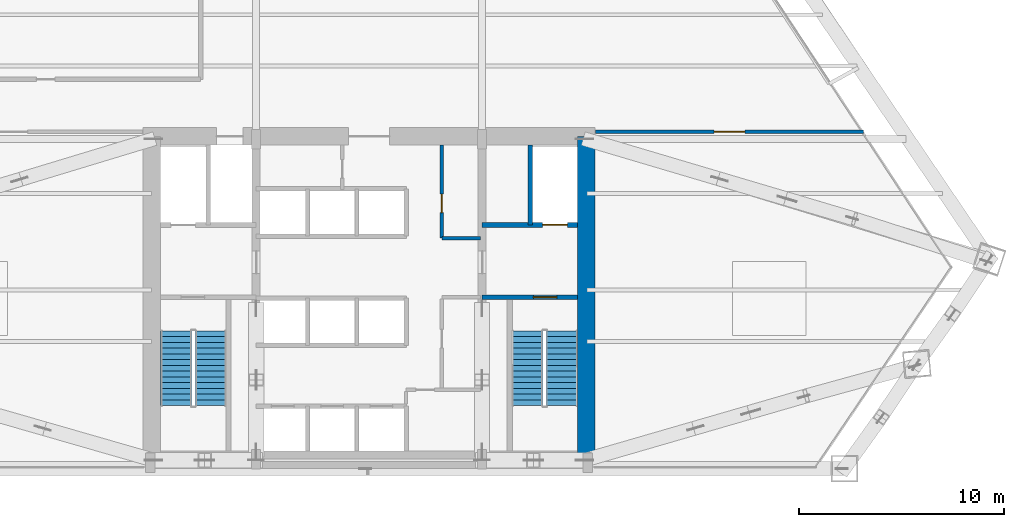
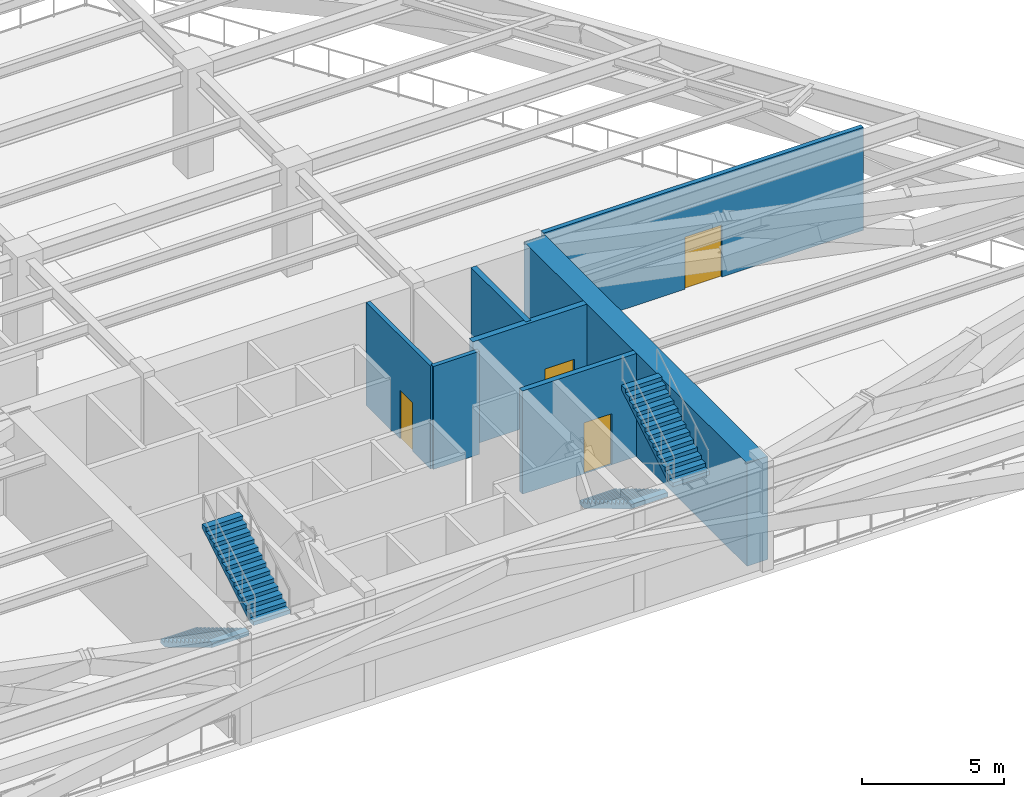
# One storey, part 8 of 10: 7 walls, 4 doors, 4 stair flights, 4 openings, 2 elements without a shape of their own.
"""IFC4 building model written with IfcOpenShell, lengths in metres."""

from ifc_helpers import new_model, si_unit, direction, frame, frame_2d, origin, place, context, subcontext, project, spatial, polyline, rectangle, outline, extrude, source, transform, mapped, material, layer, layer_set, type_object, type_shapes, element, fill, aggregate, save


model = new_model("IFC4")

# Units and contexts
model_context = context("Model", 3, precision=1e-05, world=origin(), true_north=direction((0.0, 1.0)))
body_context = subcontext(model_context, "Body", "Model", "MODEL_VIEW")
ifc_project = project(units=[si_unit("LENGTHUNIT", "METRE"), si_unit("AREAUNIT", "SQUARE_METRE"), si_unit("VOLUMEUNIT", "CUBIC_METRE"), si_unit("PLANEANGLEUNIT", "RADIAN"), si_unit("MASSUNIT", "GRAM", prefix="KILO")], contexts=[model_context])

# Site, building, storey
site_placement = place(None, origin())
site = spatial("IfcSite", under=ifc_project, at=site_placement, CompositionType="ELEMENT")
building_placement = place(site_placement, origin())
building = spatial("IfcBuilding", under=site, at=building_placement, Name="Varnakhor Terracotta Tower", CompositionType="ELEMENT")
storey_placement = place(building_placement, frame((0.0, 0.0, 71.89990234375)))
storey = spatial("IfcBuildingStorey", under=building, at=storey_placement, Name="L17", CompositionType="ELEMENT", Elevation=71.89990234375)

# Wall
ifc_material_1 = material(Name="Concrete C60/75", Category="concrete")
ifc_layer_1 = layer(ifc_material_1, 0.85009765625, Name="Concrete C60/75")
ifc_layer_set_1 = layer_set([ifc_layer_1], Name="Concrete C60/75")
wall_type_1 = type_object("IfcWallType", Name="WAL-CORE-850", PredefinedType="SHEAR", material=ifc_layer_set_1)
wall_1_placement = place(storey_placement, frame((10.574951171875, 0.425048828125, 0.0), z_axis=(0.0, 0.0, 1.0), x_axis=(0.0, 1.0, 0.0)))
element("IfcWall", 1, at=wall_1_placement, inside=storey, type_object=wall_type_1, Name="L17 East Core Shear Wall", PredefinedType="SHEAR", context=body_context, shape_type="SweptSolid", body=[
    extrude(rectangle(XDim=15.75, YDim=0.85009765625, at=frame_2d((7.875, 0.0))), origin(), (0.0, 0.0, 1.0), 4.4501953125),
])

# Wall, opening, door
ifc_material_2 = material(Name="Fire-Rated Gypsum Stud Partition", Category="gypsum")
ifc_layer_2 = layer(ifc_material_2, 0.18505859375, Name="Fire-Rated Gypsum Stud Partition")
ifc_layer_set_2 = layer_set([ifc_layer_2], Name="Fire-Rated Gypsum Stud Partition")
wall_type_2 = type_object("IfcWallType", Name="WAL-CORR-185", PredefinedType="PARTITIONING", material=ifc_layer_set_2)
wall_2_placement = place(storey_placement, frame((11.02001953125, 16.39990234375, 0.0), z_axis=(0.0, 0.0, 1.0), x_axis=(1.0, 0.0, 0.0)))
wall_2 = element("IfcWall", 2, at=wall_2_placement, inside=storey, type_object=wall_type_2, Name="L17 East Plant Wall", PredefinedType="PARTITIONING", context=body_context, shape_type="SweptSolid", body=[
    extrude(rectangle(XDim=13.049072265625, YDim=0.18505859375, at=frame_2d((6.5244140625, 0.0))), origin(), (0.0, 0.0, 1.0), 4.442138671875),
])
opening_1_placement = place(wall_2_placement, frame((5.774658203125, 0.0, 0.0)))
opening_1 = element("IfcOpeningElement", 3, at=opening_1_placement, cuts=wall_2, Name="Opening DR-30", PredefinedType="OPENING", context=body_context, shape_type="SweptSolid", body=[
    extrude(rectangle(XDim=1.5, YDim=2.25, at=frame_2d((0.75, 1.125))), frame((0.0, 0.1025390625, 0.0), z_axis=(0.0, -1.0, 0.0), x_axis=(1.0, 0.0, 0.0)), (0.0, 0.0, 1.0), 0.205078125),
])
ifc_material_3 = material(Name="Double Acoustic Conference Room Door", Category="wood")
door_type_1 = type_object("IfcDoorType", Name="DR-MEET-1500X2250", OperationType="NOTDEFINED", PredefinedType="DOOR", material=ifc_material_3)
shared_shape_1 = source(origin(), body_context, "Body", "SweptSolid", [
    extrude(rectangle(XDim=1.5, YDim=2.25, at=frame_2d((0.75, 1.125))), frame((0.0, 0.02490234375, 0.0), z_axis=(0.0, -1.0, 0.0), x_axis=(1.0, 0.0, 0.0)), (0.0, 0.0, 1.0), 0.050048828125),
])
type_shapes(door_type_1, [shared_shape_1])
door_1_placement = place(opening_1_placement, origin())
door_1 = element("IfcDoor", 4, at=door_1_placement, inside=storey, type_object=door_type_1, Name="L17 East Electrical Room Door", OperationType="DOUBLE_DOOR_SINGLE_SWING", OverallHeight=2.25, OverallWidth=1.5, PredefinedType="DOOR", context=body_context, shape_type="MappedRepresentation", body=[
    mapped(shared_shape_1, transform((0.0, 0.0, 0.0), scale=1.0)),
])
fill(opening_1, door_1)

ifc_material_4 = material(Name="Concrete C40/50", Category="concrete")
ifc_layer_3 = layer(ifc_material_4, 0.219970703125, Name="Concrete C40/50")
ifc_layer_set_3 = layer_set([ifc_layer_3], Name="Concrete C40/50")
wall_type_3 = type_object("IfcWallType", Name="WAL-FFLOBBY-220", PredefinedType="SOLIDWALL", material=ifc_layer_set_3)
wall_3_placement = place(storey_placement, frame((10.14990234375, 8.35009765625, 0.0), z_axis=(0.0, 0.0, 1.0), x_axis=(-1.0, 0.0, 0.0)))
wall_3 = element("IfcWall", 5, at=wall_3_placement, inside=storey, type_object=wall_type_3, Name="L17 East Firefighting Lobby Stair Wall", PredefinedType="SOLIDWALL", context=body_context, shape_type="SweptSolid", body=[
    extrude(rectangle(XDim=4.64990234375, YDim=0.219970703125, at=frame_2d((2.324951171875, 0.0))), origin(), (0.0, 0.0, 1.0), 4.4501953125),
])
opening_2_placement = place(wall_3_placement, frame((1.0, 0.0, 0.0)))
opening_2 = element("IfcOpeningElement", 6, at=opening_2_placement, cuts=wall_3, Name="Opening DR-34", PredefinedType="OPENING", context=body_context, shape_type="SweptSolid", body=[
    extrude(rectangle(XDim=1.14990234375, YDim=2.199951171875, at=frame_2d((0.574951171875, 1.10009765625))), frame((0.0, 0.1201171875, 0.0), z_axis=(0.0, -1.0, 0.0), x_axis=(1.0, 0.0, 0.0)), (0.0, 0.0, 1.0), 0.239990234375),
])
ifc_material_5 = material(Name="Self-Closing Smoke-Sealed Steel Fire Door", Category="steel")
door_type_2 = type_object("IfcDoorType", Name="DR-STAIR-1150X2200", OperationType="NOTDEFINED", PredefinedType="DOOR", material=ifc_material_5)
shared_shape_2 = source(origin(), body_context, "Body", "SweptSolid", [
    extrude(rectangle(XDim=1.14990234375, YDim=2.199951171875, at=frame_2d((0.574951171875, 1.10009765625))), frame((0.0, 0.02490234375, 0.0), z_axis=(0.0, -1.0, 0.0), x_axis=(1.0, 0.0, 0.0)), (0.0, 0.0, 1.0), 0.050048828125),
])
type_shapes(door_type_2, [shared_shape_2])
door_2_placement = place(opening_2_placement, origin())
door_2 = element("IfcDoor", 7, at=door_2_placement, inside=storey, type_object=door_type_2, Name="L17 Exit Stair ST-2 Fire Door", OperationType="SINGLE_SWING_RIGHT", OverallHeight=2.199951171875, OverallWidth=1.14990234375, PredefinedType="DOOR", context=body_context, shape_type="MappedRepresentation", body=[
    mapped(shared_shape_2, transform((0.0, 0.0, 0.0), scale=1.0)),
])
fill(opening_2, door_2)

# Wall
ifc_layer_4 = layer(ifc_material_4, 0.219970703125, Name="Concrete C40/50")
ifc_layer_set_4 = layer_set([ifc_layer_4], Name="Concrete C40/50")
wall_type_4 = type_object("IfcWallType", Name="WAL-SHAFT-220", PredefinedType="SOLIDWALL", material=ifc_layer_set_4)
wall_4_placement = place(storey_placement, frame((7.840087890625, 11.8701171875, 0.0), z_axis=(0.0, 0.0, 1.0), x_axis=(0.0, 1.0, 0.0)))
element("IfcWall", 8, at=wall_4_placement, inside=storey, type_object=wall_type_4, Name="L17 Lift FFL-2 and Riser Divider Wall", PredefinedType="SOLIDWALL", context=body_context, shape_type="SweptSolid", body=[
    extrude(rectangle(XDim=3.8798828125, YDim=0.219970703125, at=frame_2d((1.93994140625, 0.0))), origin(), (0.0, 0.0, 1.0), 4.4501953125),
])

# Wall, opening, door
ifc_layer_5 = layer(ifc_material_4, 0.25, Name="Concrete C40/50")
ifc_layer_set_5 = layer_set([ifc_layer_5], Name="Concrete C40/50")
wall_type_5 = type_object("IfcWallType", Name="WAL-SHAFT-250", PredefinedType="SOLIDWALL", material=ifc_layer_set_5)
wall_5_placement = place(storey_placement, frame((10.14990234375, 11.8701171875, 0.0), z_axis=(0.0, 0.0, 1.0), x_axis=(-1.0, 0.0, 0.0)))
wall_5 = element("IfcWall", 9, at=wall_5_placement, inside=storey, type_object=wall_type_5, Name="L17 Lift FFL-2 Shaft Front Wall", PredefinedType="SOLIDWALL", context=body_context, shape_type="SweptSolid", body=[
    extrude(rectangle(XDim=4.64990234375, YDim=0.25, at=frame_2d((2.324951171875, 0.0))), origin(), (0.0, 0.0, 1.0), 4.4501953125),
])
opening_3_placement = place(wall_5_placement, frame((0.5, 0.0, 0.0)))
opening_3 = element("IfcOpeningElement", 10, at=opening_3_placement, cuts=wall_5, Name="Opening LD-02", PredefinedType="OPENING", context=body_context, shape_type="SweptSolid", body=[
    extrude(rectangle(XDim=1.199951171875, YDim=2.25, at=frame_2d((0.60009765625, 1.125))), frame((0.0, 0.135009765625, 0.0), z_axis=(0.0, -1.0, 0.0), x_axis=(1.0, 0.0, 0.0)), (0.0, 0.0, 1.0), 0.27001953125),
])
ifc_material_6 = material(Name="Firefighting Stretcher Sliding Lift Landing Door", Category="steel")
door_type_3 = type_object("IfcDoorType", Name="LD-FFL-1200X2250", OperationType="NOTDEFINED", PredefinedType="DOOR", material=ifc_material_6)
shared_shape_3 = source(origin(), body_context, "Body", "SweptSolid", [
    extrude(rectangle(XDim=1.199951171875, YDim=2.25, at=frame_2d((0.60009765625, 1.125))), frame((0.0, 0.02490234375, 0.0), z_axis=(0.0, -1.0, 0.0), x_axis=(1.0, 0.0, 0.0)), (0.0, 0.0, 1.0), 0.050048828125),
])
type_shapes(door_type_3, [shared_shape_3])
door_3_placement = place(opening_3_placement, origin())
door_3 = element("IfcDoor", 11, at=door_3_placement, inside=storey, type_object=door_type_3, Name="L17 Firefighting Lift FFL-2 Landing Door", OperationType="SLIDING_TO_RIGHT", OverallHeight=2.25, OverallWidth=1.199951171875, PredefinedType="DOOR", context=body_context, shape_type="MappedRepresentation", body=[
    mapped(shared_shape_3, transform((0.0, 0.0, 0.0), scale=1.0)),
])
fill(opening_3, door_3)

ifc_material_7 = material(Name="Acoustic Fire-Rated Partition", Category="gypsum")
ifc_layer_6 = layer(ifc_material_7, 0.1650390625, Name="Acoustic Fire-Rated Partition")
ifc_layer_set_6 = layer_set([ifc_layer_6], Name="Acoustic Fire-Rated Partition")
wall_type_6 = type_object("IfcWallType", Name="WAL-TENANCY-165", PredefinedType="PARTITIONING", material=ifc_layer_set_6)
wall_6_placement = place(storey_placement, frame((3.5400390625, 11.219970703125, 0.0), z_axis=(0.0, 0.0, 1.0), x_axis=(0.0, 1.0, 0.0)))
wall_6 = element("IfcWall", 12, at=wall_6_placement, inside=storey, type_object=wall_type_6, Name="L17 Restroom Corridor Wall", PredefinedType="PARTITIONING", context=body_context, shape_type="SweptSolid", body=[
    extrude(rectangle(XDim=4.530029296875, YDim=0.1650390625, at=frame_2d((2.26513671875, 0.0))), origin(), (0.0, 0.0, 1.0), 4.442138671875),
])
opening_4_placement = place(wall_6_placement, frame((1.25, 0.0, 0.0)))
opening_4 = element("IfcOpeningElement", 13, at=opening_4_placement, cuts=wall_6, Name="Opening DR-67", PredefinedType="OPENING", context=body_context, shape_type="SweptSolid", body=[
    extrude(rectangle(XDim=0.89990234375, YDim=2.10009765625, at=frame_2d((0.449951171875, 1.050048828125))), frame((0.0, 0.092529296875, 0.0), z_axis=(0.0, -1.0, 0.0), x_axis=(1.0, 0.0, 0.0)), (0.0, 0.0, 1.0), 0.18505859375),
])
ifc_material_8 = material(Name="Steel Service Riser Fire Door", Category="steel")
door_type_4 = type_object("IfcDoorType", Name="DR-RISER-900X2100", OperationType="NOTDEFINED", PredefinedType="DOOR", material=ifc_material_8)
shared_shape_4 = source(origin(), body_context, "Body", "SweptSolid", [
    extrude(rectangle(XDim=0.89990234375, YDim=2.10009765625, at=frame_2d((0.449951171875, 1.050048828125))), frame((0.0, 0.02490234375, 0.0), z_axis=(0.0, -1.0, 0.0), x_axis=(1.0, 0.0, 0.0)), (0.0, 0.0, 1.0), 0.050048828125),
])
type_shapes(door_type_4, [shared_shape_4])
door_4_placement = place(opening_4_placement, origin())
door_4 = element("IfcDoor", 14, at=door_4_placement, inside=storey, type_object=door_type_4, Name="L17 Female WC Door", OperationType="SINGLE_SWING_LEFT", OverallHeight=2.10009765625, OverallWidth=0.89990234375, PredefinedType="DOOR", context=body_context, shape_type="MappedRepresentation", body=[
    mapped(shared_shape_4, transform((0.0, 0.0, 0.0), scale=1.0)),
])
fill(opening_4, door_4)

# Wall
wall_7_placement = place(storey_placement, frame((3.5400390625, 11.219970703125, 0.0), z_axis=(0.0, 0.0, 1.0), x_axis=(1.0, 0.0, 0.0)))
element("IfcWall", 15, at=wall_7_placement, inside=storey, type_object=wall_type_6, Name="L17 Restroom South Wall", PredefinedType="PARTITIONING", context=body_context, shape_type="SweptSolid", body=[
    extrude(rectangle(XDim=1.8798828125, YDim=0.1650390625, at=frame_2d((0.93994140625, 0.0))), origin(), (0.0, 0.0, 1.0), 4.442138671875),
])

# Stair, stair flights
stair_type = type_object("IfcStairType", Name="STR-CORE-OFFICE-1500", PredefinedType="HALF_TURN_STAIR", material=ifc_material_4)
stair_1_placement = place(storey_placement, origin())
stair_1 = element("IfcStair", 16, at=stair_1_placement, inside=storey, type_object=stair_type, Name="L17 Core Exit Stair ST-1", PredefinedType="HALF_TURN_STAIR")
stair_flight_type = type_object("IfcStairFlightType", Name="FLT-CORE-1500", PredefinedType="STRAIGHT", material=ifc_material_4)
stair_flight_1_placement = place(storey_placement, frame((-9.39990234375, 6.7099609375, 0.0), z_axis=(0.0, 0.0, 1.0), x_axis=(0.0, -1.0, 0.0)))
stair_flight_1 = element("IfcStairFlight", 17, at=stair_flight_1_placement, type_object=stair_flight_type, Name="ST-1 flight 1", NumberOfRisers=14, NumberOfTreads=13, PredefinedType="STRAIGHT", RiserHeight=0.167857143, TreadLength=0.28, context=body_context, shape_type="SweptSolid", body=[
    extrude(outline(polyline([(0.0, 0.0), (0.0, 0.16796875), (0.280029296875, 0.16796875), (0.280029296875, 0.335693359375), (0.56005859375, 0.335693359375), (0.56005859375, 0.503662109375), (0.840087890625, 0.503662109375), (0.840087890625, 0.67138671875), (1.1201171875, 0.67138671875), (1.1201171875, 0.83935546875), (1.39990234375, 0.83935546875), (1.39990234375, 1.007080078125), (1.679931640625, 1.007080078125), (1.679931640625, 1.175048828125), (1.9599609375, 1.175048828125), (1.9599609375, 1.3427734375), (2.239990234375, 1.3427734375), (2.239990234375, 1.5107421875), (2.52001953125, 1.5107421875), (2.52001953125, 1.678466796875), (2.800048828125, 1.678466796875), (2.800048828125, 1.846435546875), (3.080078125, 1.846435546875), (3.080078125, 2.014404296875), (3.360107421875, 2.014404296875), (3.360107421875, 2.18212890625), (3.639892578125, 2.18212890625), (3.639892578125, 2.35009765625), (3.639892578125, 1.99560546875), (0.31103515625, 0.0), (0.0, 0.0)])), frame((0.0, 0.75, 0.0), z_axis=(0.0, -1.0, 0.0), x_axis=(1.0, 0.0, 0.0)), (0.0, 0.0, 1.0), 1.5),
])
stair_flight_2_placement = place(storey_placement, frame((-7.699951171875, 3.070068359375, 2.35009765625), z_axis=(0.0, 0.0, 1.0), x_axis=(0.0, 1.0, 0.0)))
stair_flight_2 = element("IfcStairFlight", 18, at=stair_flight_2_placement, type_object=stair_flight_type, Name="ST-1 flight 2", NumberOfRisers=14, NumberOfTreads=13, PredefinedType="STRAIGHT", RiserHeight=0.167857143, TreadLength=0.28, context=body_context, shape_type="SweptSolid", body=[
    extrude(outline(polyline([(0.0, 0.0), (0.0, 0.16796875), (0.280029296875, 0.16796875), (0.280029296875, 0.335693359375), (0.56005859375, 0.335693359375), (0.56005859375, 0.503662109375), (0.840087890625, 0.503662109375), (0.840087890625, 0.67138671875), (1.1201171875, 0.67138671875), (1.1201171875, 0.83935546875), (1.39990234375, 0.83935546875), (1.39990234375, 1.007080078125), (1.679931640625, 1.007080078125), (1.679931640625, 1.175048828125), (1.9599609375, 1.175048828125), (1.9599609375, 1.3427734375), (2.239990234375, 1.3427734375), (2.239990234375, 1.5107421875), (2.52001953125, 1.5107421875), (2.52001953125, 1.678466796875), (2.800048828125, 1.678466796875), (2.800048828125, 1.846435546875), (3.080078125, 1.846435546875), (3.080078125, 2.014404296875), (3.360107421875, 2.014404296875), (3.360107421875, 2.18212890625), (3.639892578125, 2.18212890625), (3.639892578125, 2.35009765625), (3.639892578125, 1.99560546875), (0.31103515625, 0.0), (0.0, 0.0)])), frame((0.0, 0.75, 0.0), z_axis=(0.0, -1.0, 0.0), x_axis=(1.0, 0.0, 0.0)), (0.0, 0.0, 1.0), 1.5),
])
aggregate(stair_1, [stair_flight_1, stair_flight_2])

stair_2_placement = place(storey_placement, origin())
stair_2 = element("IfcStair", 19, at=stair_2_placement, inside=storey, type_object=stair_type, Name="L17 Core Exit Stair ST-2", PredefinedType="HALF_TURN_STAIR")
stair_flight_3_placement = place(storey_placement, frame((7.699951171875, 6.7099609375, 0.0), z_axis=(0.0, 0.0, 1.0), x_axis=(0.0, -1.0, 0.0)))
stair_flight_3 = element("IfcStairFlight", 20, at=stair_flight_3_placement, type_object=stair_flight_type, Name="ST-2 flight 1", NumberOfRisers=14, NumberOfTreads=13, PredefinedType="STRAIGHT", RiserHeight=0.167857143, TreadLength=0.28, context=body_context, shape_type="SweptSolid", body=[
    extrude(outline(polyline([(0.0, 0.0), (0.0, 0.16796875), (0.280029296875, 0.16796875), (0.280029296875, 0.335693359375), (0.56005859375, 0.335693359375), (0.56005859375, 0.503662109375), (0.840087890625, 0.503662109375), (0.840087890625, 0.67138671875), (1.1201171875, 0.67138671875), (1.1201171875, 0.83935546875), (1.39990234375, 0.83935546875), (1.39990234375, 1.007080078125), (1.679931640625, 1.007080078125), (1.679931640625, 1.175048828125), (1.9599609375, 1.175048828125), (1.9599609375, 1.3427734375), (2.239990234375, 1.3427734375), (2.239990234375, 1.5107421875), (2.52001953125, 1.5107421875), (2.52001953125, 1.678466796875), (2.800048828125, 1.678466796875), (2.800048828125, 1.846435546875), (3.080078125, 1.846435546875), (3.080078125, 2.014404296875), (3.360107421875, 2.014404296875), (3.360107421875, 2.18212890625), (3.639892578125, 2.18212890625), (3.639892578125, 2.35009765625), (3.639892578125, 1.99560546875), (0.31103515625, 0.0), (0.0, 0.0)])), frame((0.0, 0.75, 0.0), z_axis=(0.0, -1.0, 0.0), x_axis=(1.0, 0.0, 0.0)), (0.0, 0.0, 1.0), 1.5),
])
stair_flight_4_placement = place(storey_placement, frame((9.39990234375, 3.070068359375, 2.35009765625), z_axis=(0.0, 0.0, 1.0), x_axis=(0.0, 1.0, 0.0)))
stair_flight_4 = element("IfcStairFlight", 21, at=stair_flight_4_placement, type_object=stair_flight_type, Name="ST-2 flight 2", NumberOfRisers=14, NumberOfTreads=13, PredefinedType="STRAIGHT", RiserHeight=0.167857143, TreadLength=0.28, context=body_context, shape_type="SweptSolid", body=[
    extrude(outline(polyline([(0.0, 0.0), (0.0, 0.16796875), (0.280029296875, 0.16796875), (0.280029296875, 0.335693359375), (0.56005859375, 0.335693359375), (0.56005859375, 0.503662109375), (0.840087890625, 0.503662109375), (0.840087890625, 0.67138671875), (1.1201171875, 0.67138671875), (1.1201171875, 0.83935546875), (1.39990234375, 0.83935546875), (1.39990234375, 1.007080078125), (1.679931640625, 1.007080078125), (1.679931640625, 1.175048828125), (1.9599609375, 1.175048828125), (1.9599609375, 1.3427734375), (2.239990234375, 1.3427734375), (2.239990234375, 1.5107421875), (2.52001953125, 1.5107421875), (2.52001953125, 1.678466796875), (2.800048828125, 1.678466796875), (2.800048828125, 1.846435546875), (3.080078125, 1.846435546875), (3.080078125, 2.014404296875), (3.360107421875, 2.014404296875), (3.360107421875, 2.18212890625), (3.639892578125, 2.18212890625), (3.639892578125, 2.35009765625), (3.639892578125, 1.99560546875), (0.31103515625, 0.0), (0.0, 0.0)])), frame((0.0, 0.75, 0.0), z_axis=(0.0, -1.0, 0.0), x_axis=(1.0, 0.0, 0.0)), (0.0, 0.0, 1.0), 1.5),
])
aggregate(stair_2, [stair_flight_3, stair_flight_4])

save(model, "model.ifc")
